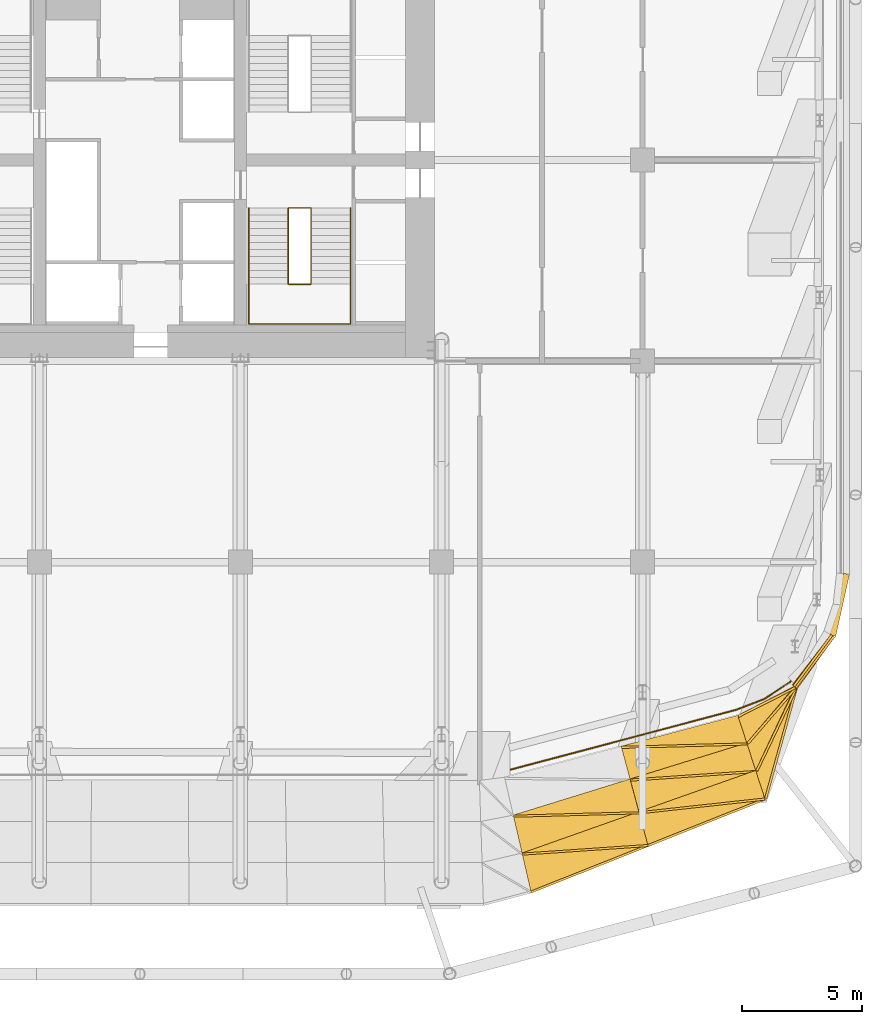
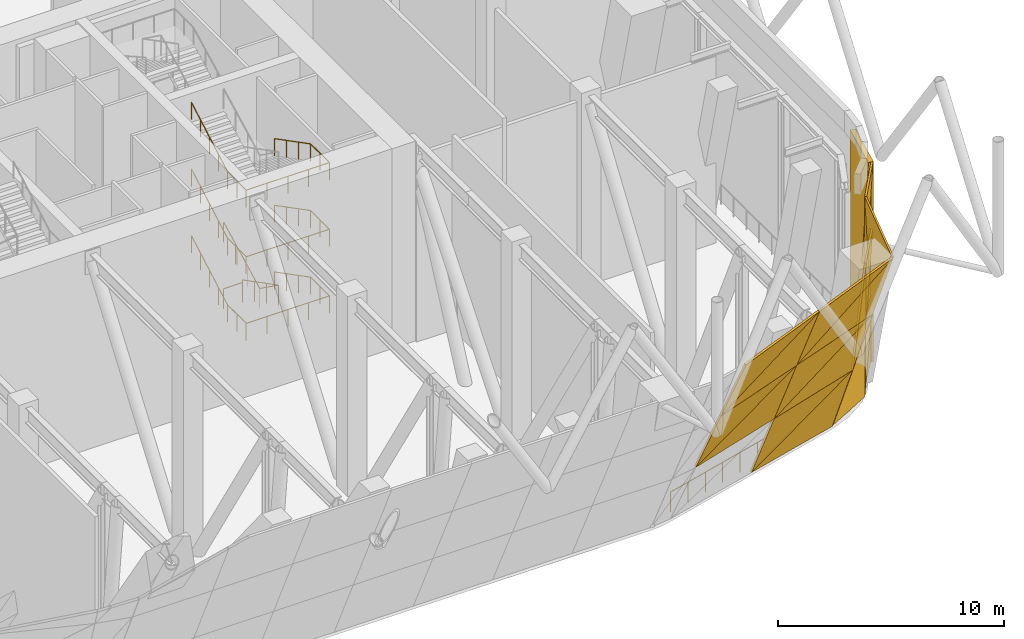
# One storey, part 16 of 19: 23 shading devices, 5 railings.
"""IFC4 building model written with IfcOpenShell, lengths in metres."""

from ifc_helpers import new_model, si_unit, direction, frame, frame_2d, origin, origin_2d, place, context, subcontext, project, spatial, polyline, rectangle, circle, outline, extrude, material, layer, layer_set, type_object, element, save


model = new_model("IFC4")

# Units and contexts
model_context = context("Model", 3, precision=1e-05, world=origin(), true_north=direction((0.0, 1.0)))
body_context = subcontext(model_context, "Body", "Model", "MODEL_VIEW")
ifc_project = project(units=[si_unit("LENGTHUNIT", "METRE"), si_unit("AREAUNIT", "SQUARE_METRE"), si_unit("VOLUMEUNIT", "CUBIC_METRE"), si_unit("PLANEANGLEUNIT", "RADIAN"), si_unit("MASSUNIT", "GRAM", prefix="KILO")], contexts=[model_context])

# Site, building, storey
site_placement = place(None, origin())
site = spatial("IfcSite", under=ifc_project, at=site_placement, CompositionType="ELEMENT")
building_placement = place(site_placement, origin())
building = spatial("IfcBuilding", under=site, at=building_placement, Name="Marenta Gate Hotel Tower", CompositionType="ELEMENT")
storey_placement = place(building_placement, frame((0.0, 0.0, 86.89990234375)))
storey = spatial("IfcBuildingStorey", under=building, at=storey_placement, Name="L20", CompositionType="ELEMENT", Elevation=86.89990234375)

# Railings
ifc_material_1 = material(Name="Stainless steel", Category="steel")
railing_type_1 = type_object("IfcRailingType", Name="Core stair handrail 950", PredefinedType="HANDRAIL", material=ifc_material_1)
railing_1_placement = place(storey_placement, frame((8.800048828125, 6.39990234375, 0.150146484375)))
element("IfcRailing", 1, at=railing_1_placement, inside=storey, type_object=railing_type_1, Name="HR-950 L20-KR-ST3-1", PredefinedType="HANDRAIL", context=body_context, shape_type="SweptSolid", body=[
    extrude(circle(Radius=0.02392578125, at=origin_2d()), frame((0.0, 0.0, 0.92578125), z_axis=(0.0, -0.888225295554, 0.459408123936), x_axis=(1.0, 0.0, 0.0)), (0.0, 0.0, 1.0), 3.59130859375),
    extrude(circle(Radius=0.02392578125, at=origin_2d()), frame((0.0, -3.18994140625, 2.57568359375), z_axis=(0.0, -1.0, 0.0), x_axis=(1.0, 0.0, 0.0)), (0.0, 0.0, 1.0), 1.659912109375),
    extrude(circle(Radius=0.02392578125, at=origin_2d()), frame((0.0, -4.849853515625, 2.57568359375), z_axis=(-1.0, 0.0, 0.0), x_axis=(0.0, -1.0, 0.0)), (0.0, 0.0, 1.0), 4.25),
    extrude(circle(Radius=0.02392578125, at=origin_2d()), frame((-4.25, -4.849853515625, 2.57568359375), z_axis=(0.0, 1.0, 0.0), x_axis=(-1.0, 0.0, 0.0)), (0.0, 0.0, 1.0), 1.659912109375),
    extrude(circle(Radius=0.02392578125, at=origin_2d()), frame((-4.25, -3.18994140625, 2.57568359375), z_axis=(0.0, 0.87090897868, 0.491444351738), x_axis=(-1.0, 0.0, 0.0)), (0.0, 0.0, 1.0), 3.662841796875),
    extrude(circle(Radius=0.02099609375, at=origin_2d()), origin(), (0.0, 0.0, 1.0), 0.90185546875),
    extrude(circle(Radius=0.02099609375, at=origin_2d()), frame((0.0, -1.063232421875, 0.550048828125)), (0.0, 0.0, 1.0), 0.90185546875),
    extrude(circle(Radius=0.02099609375, at=origin_2d()), frame((0.0, -2.126708984375, 1.099853515625)), (0.0, 0.0, 1.0), 0.90185546875),
    extrude(circle(Radius=0.02099609375, at=origin_2d()), frame((0.0, -3.18994140625, 1.64990234375)), (0.0, 0.0, 1.0), 0.90185546875),
    extrude(circle(Radius=0.02099609375, at=origin_2d()), frame((0.0, -4.02001953125, 1.64990234375)), (0.0, 0.0, 1.0), 0.90185546875),
    extrude(circle(Radius=0.02099609375, at=origin_2d()), frame((0.0, -4.849853515625, 1.64990234375)), (0.0, 0.0, 1.0), 0.90185546875),
    extrude(circle(Radius=0.02099609375, at=origin_2d()), frame((-1.0625, -4.849853515625, 1.64990234375)), (0.0, 0.0, 1.0), 0.90185546875),
    extrude(circle(Radius=0.02099609375, at=origin_2d()), frame((-2.125, -4.849853515625, 1.64990234375)), (0.0, 0.0, 1.0), 0.90185546875),
    extrude(circle(Radius=0.02099609375, at=origin_2d()), frame((-3.1875, -4.849853515625, 1.64990234375)), (0.0, 0.0, 1.0), 0.90185546875),
    extrude(circle(Radius=0.02099609375, at=origin_2d()), frame((-4.25, -4.849853515625, 1.64990234375)), (0.0, 0.0, 1.0), 0.90185546875),
    extrude(circle(Radius=0.02099609375, at=origin_2d()), frame((-4.25, -4.02001953125, 1.64990234375)), (0.0, 0.0, 1.0), 0.90185546875),
    extrude(circle(Radius=0.02099609375, at=origin_2d()), frame((-4.25, -3.18994140625, 1.64990234375)), (0.0, 0.0, 1.0), 0.90185546875),
    extrude(circle(Radius=0.02099609375, at=origin_2d()), frame((-4.25, -2.392578125, 2.099853515625)), (0.0, 0.0, 1.0), 0.90185546875),
    extrude(circle(Radius=0.02099609375, at=origin_2d()), frame((-4.25, -1.594970703125, 2.5498046875)), (0.0, 0.0, 1.0), 0.90185546875),
    extrude(circle(Radius=0.02099609375, at=origin_2d()), frame((-4.25, -0.79736328125, 3.0)), (0.0, 0.0, 1.0), 0.90185546875),
    extrude(circle(Radius=0.02099609375, at=origin_2d()), frame((-4.25, 0.0, 3.449951171875)), (0.0, 0.0, 1.0), 0.90185546875),
])
railing_2_placement = place(storey_placement, frame((8.800048828125, 6.39990234375, 3.75)))
element("IfcRailing", 2, at=railing_2_placement, inside=storey, type_object=railing_type_1, Name="HR-950 L20-KR-ST3-3", PredefinedType="HANDRAIL", context=body_context, shape_type="SweptSolid", body=[
    extrude(circle(Radius=0.02392578125, at=origin_2d()), frame((0.0, 0.0, 0.92578125), z_axis=(0.0, -0.888197555067, 0.459461753765), x_axis=(1.0, 0.0, 0.0)), (0.0, 0.0, 1.0), 3.591552734375),
    extrude(circle(Radius=0.02392578125, at=origin_2d()), frame((0.0, -3.18994140625, 2.576171875), z_axis=(0.0, -1.0, 0.0), x_axis=(1.0, 0.0, 0.0)), (0.0, 0.0, 1.0), 1.659912109375),
    extrude(circle(Radius=0.02392578125, at=origin_2d()), frame((0.0, -4.849853515625, 2.576171875), z_axis=(-1.0, 0.0, 0.0), x_axis=(0.0, -1.0, 0.0)), (0.0, 0.0, 1.0), 4.25),
    extrude(circle(Radius=0.02392578125, at=origin_2d()), frame((-4.25, -4.849853515625, 2.576171875), z_axis=(0.0, 1.0, 0.0), x_axis=(-1.0, 0.0, 0.0)), (0.0, 0.0, 1.0), 1.659912109375),
    extrude(circle(Radius=0.02392578125, at=origin_2d()), frame((-4.25, -3.18994140625, 2.576171875), z_axis=(0.0, 0.87090897868, 0.491444351738), x_axis=(-1.0, 0.0, 0.0)), (0.0, 0.0, 1.0), 3.662841796875),
    extrude(circle(Radius=0.02099609375, at=origin_2d()), origin(), (0.0, 0.0, 1.0), 0.90185546875),
    extrude(circle(Radius=0.02099609375, at=origin_2d()), frame((0.0, -1.063232421875, 0.550048828125)), (0.0, 0.0, 1.0), 0.90185546875),
    extrude(circle(Radius=0.02099609375, at=origin_2d()), frame((0.0, -2.126708984375, 1.10009765625)), (0.0, 0.0, 1.0), 0.90185546875),
    extrude(circle(Radius=0.02099609375, at=origin_2d()), frame((0.0, -3.18994140625, 1.650146484375)), (0.0, 0.0, 1.0), 0.90185546875),
    extrude(circle(Radius=0.02099609375, at=origin_2d()), frame((0.0, -4.02001953125, 1.650146484375)), (0.0, 0.0, 1.0), 0.90185546875),
    extrude(circle(Radius=0.02099609375, at=origin_2d()), frame((0.0, -4.849853515625, 1.650146484375)), (0.0, 0.0, 1.0), 0.90185546875),
    extrude(circle(Radius=0.02099609375, at=origin_2d()), frame((-1.0625, -4.849853515625, 1.650146484375)), (0.0, 0.0, 1.0), 0.90185546875),
    extrude(circle(Radius=0.02099609375, at=origin_2d()), frame((-2.125, -4.849853515625, 1.650146484375)), (0.0, 0.0, 1.0), 0.90185546875),
    extrude(circle(Radius=0.02099609375, at=origin_2d()), frame((-3.1875, -4.849853515625, 1.650146484375)), (0.0, 0.0, 1.0), 0.90185546875),
    extrude(circle(Radius=0.02099609375, at=origin_2d()), frame((-4.25, -4.849853515625, 1.650146484375)), (0.0, 0.0, 1.0), 0.90185546875),
    extrude(circle(Radius=0.02099609375, at=origin_2d()), frame((-4.25, -4.02001953125, 1.650146484375)), (0.0, 0.0, 1.0), 0.90185546875),
    extrude(circle(Radius=0.02099609375, at=origin_2d()), frame((-4.25, -3.18994140625, 1.650146484375)), (0.0, 0.0, 1.0), 0.90185546875),
    extrude(circle(Radius=0.02099609375, at=origin_2d()), frame((-4.25, -2.392578125, 2.10009765625)), (0.0, 0.0, 1.0), 0.90185546875),
    extrude(circle(Radius=0.02099609375, at=origin_2d()), frame((-4.25, -1.594970703125, 2.55029296875)), (0.0, 0.0, 1.0), 0.90185546875),
    extrude(circle(Radius=0.02099609375, at=origin_2d()), frame((-4.25, -0.79736328125, 3.000244140625)), (0.0, 0.0, 1.0), 0.90185546875),
    extrude(circle(Radius=0.02099609375, at=origin_2d()), frame((-4.25, 0.0, 3.4501953125)), (0.0, 0.0, 1.0), 0.90185546875),
])
railing_3_placement = place(storey_placement, frame((8.800048828125, 6.39990234375, 7.35009765625)))
element("IfcRailing", 3, at=railing_3_placement, inside=storey, type_object=railing_type_1, Name="HR-950 L20-KR-ST3-5", PredefinedType="HANDRAIL", context=body_context, shape_type="SweptSolid", body=[
    extrude(circle(Radius=0.02392578125, at=origin_2d()), frame((0.0, 0.0, 0.92578125), z_axis=(0.0, -0.888225295554, 0.459408123936), x_axis=(1.0, 0.0, 0.0)), (0.0, 0.0, 1.0), 3.59130859375),
    extrude(circle(Radius=0.02392578125, at=origin_2d()), frame((0.0, -3.18994140625, 2.57568359375), z_axis=(0.0, -1.0, 0.0), x_axis=(1.0, 0.0, 0.0)), (0.0, 0.0, 1.0), 1.659912109375),
    extrude(circle(Radius=0.02392578125, at=origin_2d()), frame((0.0, -4.849853515625, 2.57568359375), z_axis=(-1.0, 0.0, 0.0), x_axis=(0.0, -1.0, 0.0)), (0.0, 0.0, 1.0), 4.25),
    extrude(circle(Radius=0.02392578125, at=origin_2d()), frame((-4.25, -4.849853515625, 2.57568359375), z_axis=(0.0, 1.0, 0.0), x_axis=(-1.0, 0.0, 0.0)), (0.0, 0.0, 1.0), 1.659912109375),
    extrude(circle(Radius=0.02392578125, at=origin_2d()), frame((-4.25, -3.18994140625, 2.57568359375), z_axis=(0.0, 0.87090897868, 0.491444351738), x_axis=(-1.0, 0.0, 0.0)), (0.0, 0.0, 1.0), 3.662841796875),
    extrude(circle(Radius=0.02099609375, at=origin_2d()), origin(), (0.0, 0.0, 1.0), 0.90185546875),
    extrude(circle(Radius=0.02099609375, at=origin_2d()), frame((0.0, -1.063232421875, 0.550048828125)), (0.0, 0.0, 1.0), 0.90185546875),
    extrude(circle(Radius=0.02099609375, at=origin_2d()), frame((0.0, -2.126708984375, 1.099853515625)), (0.0, 0.0, 1.0), 0.90185546875),
    extrude(circle(Radius=0.02099609375, at=origin_2d()), frame((0.0, -3.18994140625, 1.64990234375)), (0.0, 0.0, 1.0), 0.90185546875),
    extrude(circle(Radius=0.02099609375, at=origin_2d()), frame((0.0, -4.02001953125, 1.64990234375)), (0.0, 0.0, 1.0), 0.90185546875),
    extrude(circle(Radius=0.02099609375, at=origin_2d()), frame((0.0, -4.849853515625, 1.64990234375)), (0.0, 0.0, 1.0), 0.90185546875),
    extrude(circle(Radius=0.02099609375, at=origin_2d()), frame((-1.0625, -4.849853515625, 1.64990234375)), (0.0, 0.0, 1.0), 0.90185546875),
    extrude(circle(Radius=0.02099609375, at=origin_2d()), frame((-2.125, -4.849853515625, 1.64990234375)), (0.0, 0.0, 1.0), 0.90185546875),
    extrude(circle(Radius=0.02099609375, at=origin_2d()), frame((-3.1875, -4.849853515625, 1.64990234375)), (0.0, 0.0, 1.0), 0.90185546875),
    extrude(circle(Radius=0.02099609375, at=origin_2d()), frame((-4.25, -4.849853515625, 1.64990234375)), (0.0, 0.0, 1.0), 0.90185546875),
    extrude(circle(Radius=0.02099609375, at=origin_2d()), frame((-4.25, -4.02001953125, 1.64990234375)), (0.0, 0.0, 1.0), 0.90185546875),
    extrude(circle(Radius=0.02099609375, at=origin_2d()), frame((-4.25, -3.18994140625, 1.64990234375)), (0.0, 0.0, 1.0), 0.90185546875),
    extrude(circle(Radius=0.02099609375, at=origin_2d()), frame((-4.25, -2.392578125, 2.099853515625)), (0.0, 0.0, 1.0), 0.90185546875),
    extrude(circle(Radius=0.02099609375, at=origin_2d()), frame((-4.25, -1.594970703125, 2.5498046875)), (0.0, 0.0, 1.0), 0.90185546875),
    extrude(circle(Radius=0.02099609375, at=origin_2d()), frame((-4.25, -0.79736328125, 3.0)), (0.0, 0.0, 1.0), 0.90185546875),
    extrude(circle(Radius=0.02099609375, at=origin_2d()), frame((-4.25, 0.0, 3.449951171875)), (0.0, 0.0, 1.0), 0.90185546875),
])
ifc_material_2 = material(Name="Stainless steel", Category="steel")
railing_type_2 = type_object("IfcRailingType", Name="Core stair well guard 1100", PredefinedType="GUARDRAIL", material=ifc_material_2)
railing_4_placement = place(storey_placement, frame((6.199951171875, 6.39990234375, 0.0)))
element("IfcRailing", 4, at=railing_4_placement, inside=storey, type_object=railing_type_2, Name="GR-1100 L20-KR-ST3-2", PredefinedType="GUARDRAIL", context=body_context, shape_type="SweptSolid", body=[
    extrude(circle(Radius=0.02392578125, at=origin_2d()), frame((0.0, 0.0, 1.076171875), z_axis=(1.0, 0.0, 0.0), x_axis=(0.0, 1.0, 0.0)), (0.0, 0.0, 1.0), 0.949951171875),
    extrude(circle(Radius=0.02392578125, at=origin_2d()), frame((0.949951171875, 0.0, 1.076171875), z_axis=(0.0, 0.0, 1.0), x_axis=(1.0, 0.0, 0.0)), (0.0, 0.0, 1.0), 0.150146484375),
    extrude(circle(Radius=0.02392578125, at=origin_2d()), frame((0.949951171875, 0.0, 1.22607421875), z_axis=(0.0, -0.888225295554, 0.459408123936), x_axis=(1.0, 0.0, 0.0)), (0.0, 0.0, 1.0), 3.59130859375),
    extrude(circle(Radius=0.02392578125, at=origin_2d()), frame((0.949951171875, -3.18994140625, 2.8759765625), z_axis=(-0.987738253826, 0.0, 0.156118999255), x_axis=(0.0, -1.0, 0.0)), (0.0, 0.0, 1.0), 0.961669921875),
    extrude(circle(Radius=0.02392578125, at=origin_2d()), frame((0.0, -3.18994140625, 3.0263671875), z_axis=(0.0, 0.888225295554, 0.459408123936), x_axis=(-1.0, 0.0, 0.0)), (0.0, 0.0, 1.0), 3.59130859375),
    extrude(circle(Radius=0.02099609375, at=origin_2d()), origin(), (0.0, 0.0, 1.0), 1.052001953125),
    extrude(circle(Radius=0.02099609375, at=origin_2d()), frame((0.949951171875, 0.0, 0.0)), (0.0, 0.0, 1.0), 1.052001953125),
    extrude(circle(Radius=0.02099609375, at=origin_2d()), frame((0.949951171875, 0.0, 0.150146484375)), (0.0, 0.0, 1.0), 1.052001953125),
    extrude(circle(Radius=0.02099609375, at=origin_2d()), frame((0.949951171875, -1.063232421875, 0.7001953125)), (0.0, 0.0, 1.0), 1.052001953125),
    extrude(circle(Radius=0.02099609375, at=origin_2d()), frame((0.949951171875, -2.126708984375, 1.25)), (0.0, 0.0, 1.0), 1.052001953125),
    extrude(circle(Radius=0.02099609375, at=origin_2d()), frame((0.949951171875, -3.18994140625, 1.800048828125)), (0.0, 0.0, 1.0), 1.052001953125),
    extrude(circle(Radius=0.02099609375, at=origin_2d()), frame((0.0, -3.18994140625, 1.9501953125)), (0.0, 0.0, 1.0), 1.052001953125),
    extrude(circle(Radius=0.02099609375, at=origin_2d()), frame((0.0, -2.126708984375, 2.500244140625)), (0.0, 0.0, 1.0), 1.052001953125),
    extrude(circle(Radius=0.02099609375, at=origin_2d()), frame((0.0, -1.063232421875, 3.050048828125)), (0.0, 0.0, 1.0), 1.052001953125),
    extrude(circle(Radius=0.02099609375, at=origin_2d()), frame((0.0, 0.0, 3.60009765625)), (0.0, 0.0, 1.0), 1.052001953125),
])
ifc_material_3 = material(Name="Stainless steel", Category="steel")
railing_type_3 = type_object("IfcRailingType", Name="Guard 1100 stainless balustrade", PredefinedType="GUARDRAIL", material=ifc_material_3)
railing_5_placement = place(storey_placement, frame((27.69140625, -12.85302734375, 0.0)))
element("IfcRailing", 5, at=railing_5_placement, inside=storey, type_object=railing_type_3, Name="Guard", PredefinedType="GUARDRAIL", context=body_context, shape_type="SweptSolid", body=[
    extrude(circle(Radius=0.02392578125, at=origin_2d()), frame((0.0, 0.0, 1.076171875), z_axis=(-0.69247763599, -0.721439341631, 0.0), x_axis=(0.721439341631, -0.69247763599, 0.0)), (0.0, 0.0, 1.0), 0.750244140625),
    extrude(circle(Radius=0.02392578125, at=origin_2d()), frame((-0.51953125, -0.541259765625, 1.076171875), z_axis=(-0.83257703296, -0.553909274329, 0.0), x_axis=(0.553909274329, -0.83257703296, 0.0)), (0.0, 0.0, 1.0), 1.28271484375),
    extrude(circle(Radius=0.02392578125, at=origin_2d()), frame((-1.58740234375, -1.251708984375, 1.076171875), z_axis=(-0.932788004405, -0.360425496931, 0.0), x_axis=(0.360425496931, -0.932788004405, 0.0)), (0.0, 0.0, 1.0), 1.2890625),
    extrude(circle(Radius=0.02392578125, at=origin_2d()), frame((-2.789794921875, -1.71630859375, 1.076171875), z_axis=(-0.96656485404, -0.256422274645, 0.0), x_axis=(0.256422274645, -0.96656485404, 0.0)), (0.0, 0.0, 1.0), 9.740966796875),
    extrude(circle(Radius=0.02099609375, at=origin_2d()), origin(), (0.0, 0.0, 1.0), 1.052001953125),
    extrude(circle(Radius=0.02099609375, at=origin_2d()), frame((-0.51953125, -0.541259765625, 0.0)), (0.0, 0.0, 1.0), 1.052001953125),
    extrude(circle(Radius=0.02099609375, at=origin_2d()), frame((-1.053466796875, -0.896484375, 0.0)), (0.0, 0.0, 1.0), 1.052001953125),
    extrude(circle(Radius=0.02099609375, at=origin_2d()), frame((-1.58740234375, -1.251708984375, 0.0)), (0.0, 0.0, 1.0), 1.052001953125),
    extrude(circle(Radius=0.02099609375, at=origin_2d()), frame((-2.1884765625, -1.48388671875, 0.0)), (0.0, 0.0, 1.0), 1.052001953125),
    extrude(circle(Radius=0.02099609375, at=origin_2d()), frame((-2.789794921875, -1.71630859375, 0.0)), (0.0, 0.0, 1.0), 1.052001953125),
    extrude(circle(Radius=0.02099609375, at=origin_2d()), frame((-3.8359375, -1.993896484375, 0.0)), (0.0, 0.0, 1.0), 1.052001953125),
    extrude(circle(Radius=0.02099609375, at=origin_2d()), frame((-4.882080078125, -2.271484375, 0.0)), (0.0, 0.0, 1.0), 1.052001953125),
    extrude(circle(Radius=0.02099609375, at=origin_2d()), frame((-5.92822265625, -2.548828125, 0.0)), (0.0, 0.0, 1.0), 1.052001953125),
    extrude(circle(Radius=0.02099609375, at=origin_2d()), frame((-6.974365234375, -2.826416015625, 0.0)), (0.0, 0.0, 1.0), 1.052001953125),
    extrude(circle(Radius=0.02099609375, at=origin_2d()), frame((-8.0205078125, -3.10400390625, 0.0)), (0.0, 0.0, 1.0), 1.052001953125),
    extrude(circle(Radius=0.02099609375, at=origin_2d()), frame((-9.066650390625, -3.381591796875, 0.0)), (0.0, 0.0, 1.0), 1.052001953125),
    extrude(circle(Radius=0.02099609375, at=origin_2d()), frame((-10.11279296875, -3.658935546875, 0.0)), (0.0, 0.0, 1.0), 1.052001953125),
    extrude(circle(Radius=0.02099609375, at=origin_2d()), frame((-11.158935546875, -3.9365234375, 0.0)), (0.0, 0.0, 1.0), 1.052001953125),
    extrude(circle(Radius=0.02099609375, at=origin_2d()), frame((-12.205078125, -4.214111328125, 0.0)), (0.0, 0.0, 1.0), 1.052001953125),
])

# Shading devices
ifc_material_4 = material(Name="Bronze anodised aluminium louvre", Category="aluminium")
ifc_layer_1 = layer(ifc_material_4, 0.10009765625)
ifc_layer_set_1 = layer_set([ifc_layer_1], Name="Bronze anodised aluminium louvre")
shading_device_type_1 = type_object("IfcShadingDeviceType", Name="Louvre blade 100 mm inclined", PredefinedType="JALOUSIE", material=ifc_layer_set_1)
shading_device_1_placement = place(storey_placement, frame((15.596923828125, -18.967041015625, 3.60009765625), z_axis=(-0.27517050857, 0.889029532135, 0.365933986129), x_axis=(0.955287498997, 0.295678531958, 0.0)))
element("IfcShadingDevice", 6, at=shading_device_1_placement, inside=storey, type_object=shading_device_type_1, Name="Louvre blade", PredefinedType="JALOUSIE", context=body_context, shape_type="SweptSolid", body=[
    extrude(outline(polyline([(0.0, 0.0), (5.1044535893611505, 0.0), (5.053235282716652, -3.868407248431732), (0.0, 0.0)])), origin(), (0.0, 0.0, -1.0), 0.10009765625),
])
shading_device_2_placement = place(storey_placement, frame((15.596923828125, -18.967041015625, 3.60009765625), z_axis=(-0.304193680341, 0.860167983637, 0.409361997219), x_axis=(0.824308167934, 0.022288967542, 0.565702436094)))
element("IfcShadingDevice", 7, at=shading_device_2_placement, inside=storey, type_object=shading_device_type_1, Name="Louvre blade", PredefinedType="JALOUSIE", context=body_context, shape_type="SweptSolid", body=[
    extrude(outline(polyline([(0.0, 0.0), (6.3639422893526945, 8.881784197001252e-16), (2.3027468107422275, -3.2094890281307933), (0.0, 0.0)])), origin(), (0.0, 0.0, -1.0), 0.10009765625),
])
shading_device_3_placement = place(storey_placement, frame((15.962646484375, -20.551025390625, 7.2001953125), z_axis=(-0.310381109843, 0.87766416815, 0.365197446046), x_axis=(0.942782042557, 0.33340968827, 0.0)))
element("IfcShadingDevice", 8, at=shading_device_3_placement, inside=storey, type_object=shading_device_type_1, Name="Louvre blade", PredefinedType="JALOUSIE", context=body_context, shape_type="SweptSolid", body=[
    extrude(outline(polyline([(0.0, 0.0), (5.176304525158662, 0.0), (5.068950462199093, -3.866942930483403), (0.0, 0.0)])), origin(), (0.0, 0.0, -1.0), 0.10009765625),
])
shading_device_4_placement = place(storey_placement, frame((15.962646484375, -20.551025390625, 7.2001953125), z_axis=(-0.337487668582, 0.84849073897, 0.407634075413), x_axis=(0.823421405819, 0.056252897045, 0.564635103418)))
element("IfcShadingDevice", 9, at=shading_device_4_placement, inside=storey, type_object=shading_device_type_1, Name="Louvre blade", PredefinedType="JALOUSIE", context=body_context, shape_type="SweptSolid", body=[
    extrude(outline(polyline([(0.0, 0.0), (6.375539696044875, 0.0), (2.2446438158687076, -3.2501198493869023), (0.0, 0.0)])), origin(), (0.0, 0.0, -1.0), 0.10009765625),
])
shading_device_5_placement = place(storey_placement, frame((20.103515625, -16.09033203125, 0.0), z_axis=(-0.24313202907, 0.916325358284, 0.318173937031), x_axis=(0.966554942583, 0.25645963224, 0.0)))
element("IfcShadingDevice", 10, at=shading_device_5_placement, inside=storey, type_object=shading_device_type_1, Name="Louvre blade", PredefinedType="JALOUSIE", context=body_context, shape_type="SweptSolid", body=[
    extrude(outline(polyline([(0.0, 0.0), (5.040655319065925, 1.1102230246251565e-16), (5.106779564846256, -3.7974417623289884), (0.0, 0.0)])), origin(), (0.0, 0.0, -1.0), 0.10009765625),
])
shading_device_6_placement = place(storey_placement, frame((20.103515625, -16.09033203125, 0.0), z_axis=(-0.27517050857, 0.889029532135, 0.365933986129), x_axis=(0.824308167934, 0.022288967542, 0.565702436094)))
element("IfcShadingDevice", 11, at=shading_device_6_placement, inside=storey, type_object=shading_device_type_1, Name="Louvre blade", PredefinedType="JALOUSIE", context=body_context, shape_type="SweptSolid", body=[
    extrude(outline(polyline([(0.0, 0.0), (6.3639422893526945, 0.0), (2.3107935013907834, -3.1028102340595725), (0.0, 0.0)])), origin(), (0.0, 0.0, -1.0), 0.10009765625),
])
shading_device_7_placement = place(storey_placement, frame((20.47314453125, -17.457763671875, 3.60009765625), z_axis=(-0.280274759491, 0.905520506521, 0.31855717142), x_axis=(0.955287498997, 0.295678531958, 0.0)))
element("IfcShadingDevice", 12, at=shading_device_7_placement, inside=storey, type_object=shading_device_type_1, Name="Louvre blade", PredefinedType="JALOUSIE", context=body_context, shape_type="SweptSolid", body=[
    extrude(outline(polyline([(0.0, 0.0), (5.1044535893611505, -5.551115123125783e-17), (5.120996869101097, -3.797957375252926), (0.0, 0.0)])), origin(), (0.0, 0.0, -1.0), 0.10009765625),
])
shading_device_8_placement = place(storey_placement, frame((20.47314453125, -17.457763671875, 3.60009765625), z_axis=(-0.310377170472, 0.877653028798, 0.365227563434), x_axis=(0.823405375004, 0.056213509301, 0.564662403377)))
element("IfcShadingDevice", 13, at=shading_device_8_placement, inside=storey, type_object=shading_device_type_1, Name="Louvre blade", PredefinedType="JALOUSIE", context=body_context, shape_type="SweptSolid", body=[
    extrude(outline(polyline([(0.0, 0.0), (6.375663820935145, 4.440892098500626e-16), (2.260326091882188, -3.139764945503292), (0.0, 0.0)])), origin(), (0.0, 0.0, -1.0), 0.10009765625),
])
shading_device_9_placement = place(storey_placement, frame((20.8427734375, -18.8251953125, 7.2001953125), z_axis=(-0.316043836489, 0.893676651234, 0.318525252464), x_axis=(0.942782042557, 0.33340968827, 0.0)))
element("IfcShadingDevice", 14, at=shading_device_9_placement, inside=storey, type_object=shading_device_type_1, Name="Louvre blade", PredefinedType="JALOUSIE", context=body_context, shape_type="SweptSolid", body=[
    extrude(outline(polyline([(0.0, 0.0), (5.176304525158662, 0.0), (5.144982756762301, -3.7976568434240816), (0.0, 0.0)])), origin(), (0.0, 0.0, -1.0), 0.10009765625),
])
shading_device_10_placement = place(storey_placement, frame((20.8427734375, -18.8251953125, 7.2001953125), z_axis=(-0.344139444923, 0.865475013844, 0.364034397907), x_axis=(0.821594632711, 0.089909635689, 0.562937400526)))
element("IfcShadingDevice", 15, at=shading_device_10_placement, inside=storey, type_object=shading_device_type_1, Name="Louvre blade", PredefinedType="JALOUSIE", context=body_context, shape_type="SweptSolid", body=[
    extrude(outline(polyline([(0.0, 0.0), (6.3947670065286335, -4.440892098500626e-16), (2.207253975786297, -3.176917123380005), (0.0, 0.0)])), origin(), (0.0, 0.0, -1.0), 0.10009765625),
])
shading_device_11_placement = place(storey_placement, frame((24.9755859375, -14.797607421875, 0.0), z_axis=(-0.460211389366, 0.887781057266, 0.007090236848), x_axis=(0.887803373131, 0.460222957551, 0.0)))
element("IfcShadingDevice", 16, at=shading_device_11_placement, inside=storey, type_object=shading_device_type_1, Name="Louvre blade", PredefinedType="JALOUSIE", context=body_context, shape_type="SweptSolid", body=[
    extrude(outline(polyline([(0.0, 0.0), (2.6476424945418824, 0.0), (2.653384718718372, -3.600188150742055), (0.0, 0.0)])), origin(), (0.0, 0.0, -1.0), 0.10009765625),
])
shading_device_12_placement = place(storey_placement, frame((24.9755859375, -14.797607421875, 0.0), z_axis=(-0.733075938414, 0.622082314568, 0.274978658117), x_axis=(0.529349919211, 0.267977596515, 0.804969981302)))
element("IfcShadingDevice", 17, at=shading_device_12_placement, inside=storey, type_object=shading_device_type_1, Name="Louvre blade", PredefinedType="JALOUSIE", context=body_context, shape_type="SweptSolid", body=[
    extrude(outline(polyline([(0.0, 0.0), (4.472337776406391, -4.440892098500626e-16), (2.787420820463611, -2.5797716030312223), (0.0, 0.0)])), origin(), (0.0, 0.0, -1.0), 0.10009765625),
])
shading_device_13_placement = place(storey_placement, frame((25.349365234375, -15.948486328125, 3.60009765625), z_axis=(-0.762448760552, 0.647007853961, 0.007261159984), x_axis=(0.647024911201, 0.762468861191, 0.0)))
element("IfcShadingDevice", 18, at=shading_device_13_placement, inside=storey, type_object=shading_device_type_1, Name="Louvre blade", PredefinedType="JALOUSIE", context=body_context, shape_type="SweptSolid", body=[
    extrude(outline(polyline([(0.0, 0.0), (3.0812605654552763, 0.0), (3.0768677012719774, -3.600192566577275), (0.0, 0.0)])), origin(), (0.0, 0.0, -1.0), 0.10009765625),
])
shading_device_14_placement = place(storey_placement, frame((25.349365234375, -15.948486328125, 3.60009765625), z_axis=(-0.881842603805, 0.414875578863, 0.224124688904), x_axis=(0.424576802556, 0.491799744583, 0.760175999331)))
element("IfcShadingDevice", 19, at=shading_device_14_placement, inside=storey, type_object=shading_device_type_1, Name="Louvre blade", PredefinedType="JALOUSIE", context=body_context, shape_type="SweptSolid", body=[
    extrude(outline(polyline([(0.0, 0.0), (4.735873875808874, 0.0), (2.329300243673348, -2.9998523762288585), (0.0, 0.0)])), origin(), (0.0, 0.0, -1.0), 0.10009765625),
])
shading_device_15_placement = place(storey_placement, frame((25.722900390625, -17.099365234375, 7.2001953125), z_axis=(-0.90484196688, 0.425695961126, 0.006630509358), x_axis=(0.42570531901, 0.904861857615, 0.0)))
element("IfcShadingDevice", 20, at=shading_device_15_placement, inside=storey, type_object=shading_device_type_1, Name="Louvre blade", PredefinedType="JALOUSIE", context=body_context, shape_type="SweptSolid", body=[
    extrude(outline(polyline([(0.0, 0.0), (3.8458693329409814, 0.0), (3.83470481458884, -3.5999326495921107), (0.0, 0.0)])), origin(), (0.0, 0.0, -1.0), 0.10009765625),
])
shading_device_16_placement = place(storey_placement, frame((25.722900390625, -17.099365234375, 7.2001953125), z_axis=(-0.947365697082, 0.263065168944, 0.182469046364), x_axis=(0.314476448759, 0.657777971272, 0.684421437189)))
element("IfcShadingDevice", 21, at=shading_device_16_placement, inside=storey, type_object=shading_device_type_1, Name="Louvre blade", PredefinedType="JALOUSIE", context=body_context, shape_type="SweptSolid", body=[
    extrude(outline(polyline([(0.0, 0.0), (5.2597030426279865, 0.0), (1.8243389106032002, -3.330910700220042), (0.0, 0.0)])), origin(), (0.0, 0.0, -1.0), 0.10009765625),
])
shading_device_17_placement = place(storey_placement, frame((27.326171875, -13.5791015625, 0.0), z_axis=(0.792634246346, -0.609697426204, 0.0), x_axis=(0.609697426204, 0.792634246346, 0.0)))
element("IfcShadingDevice", 22, at=shading_device_17_placement, inside=storey, type_object=shading_device_type_1, Name="Louvre blade", PredefinedType="JALOUSIE", context=body_context, shape_type="SweptSolid", body=[
    extrude(outline(polyline([(0.0, 0.0), (2.6544448665318994, 0.0), (2.6544448665318994, 3.60009765625), (0.0, 0.0)])), origin(), (0.0, 0.0, -1.0), 0.10009765625),
])
shading_device_18_placement = place(storey_placement, frame((27.326171875, -13.5791015625, 0.0), z_axis=(-0.79843547927, 0.602038706208, 0.007083902209), x_axis=(0.3618257453, 0.470389843565, 0.804869880856)))
element("IfcShadingDevice", 23, at=shading_device_18_placement, inside=storey, type_object=shading_device_type_1, Name="Louvre blade", PredefinedType="JALOUSIE", context=body_context, shape_type="SweptSolid", body=[
    extrude(outline(polyline([(0.0, 0.0), (4.472893994271974, 0.0), (2.8942883965703006, -2.1411404370943328), (0.0, 0.0)])), origin(), (0.0, 0.0, -1.0), 0.10009765625),
])
shading_device_19_placement = place(storey_placement, frame((27.343017578125, -13.59912109375, 3.60009765625), z_axis=(0.798455513437, -0.602053812431, 0.0), x_axis=(0.602053812431, 0.798455513437, 0.0)))
element("IfcShadingDevice", 24, at=shading_device_19_placement, inside=storey, type_object=shading_device_type_1, Name="Louvre blade", PredefinedType="JALOUSIE", context=body_context, shape_type="SweptSolid", body=[
    extrude(outline(polyline([(0.0, 0.0), (2.66016503331195, 0.0), (2.66016503331195, 3.600097656250001), (0.0, 0.0)])), origin(), (0.0, 0.0, -1.0), 0.10009765625),
])
shading_device_20_placement = place(storey_placement, frame((27.343017578125, -13.59912109375, 3.60009765625), z_axis=(-0.804233527896, 0.594270248895, 0.007162673105), x_axis=(0.357787842459, 0.474505217895, 0.804259073918)))
element("IfcShadingDevice", 25, at=shading_device_20_placement, inside=storey, type_object=shading_device_type_1, Name="Louvre blade", PredefinedType="JALOUSIE", context=body_context, shape_type="SweptSolid", body=[
    extrude(outline(polyline([(0.0, 0.0), (4.4762910024921645, 4.440892098500626e-16), (2.8919105273133887, -2.144355221437903), (0.0, 0.0)])), origin(), (0.0, 0.0, -1.0), 0.10009765625),
])
shading_device_21_placement = place(storey_placement, frame((27.360107421875, -13.619384765625, 7.2001953125), z_axis=(0.804254158843, -0.594285493668, 0.0), x_axis=(0.594285493668, 0.804254158843, 0.0)))
element("IfcShadingDevice", 26, at=shading_device_21_placement, inside=storey, type_object=shading_device_type_1, Name="Louvre blade", PredefinedType="JALOUSIE", context=body_context, shape_type="SweptSolid", body=[
    extrude(outline(polyline([(0.0, 0.0), (2.6661809401906176, 0.0), (2.6661809401906176, 3.599853515625), (0.0, 0.0)])), origin(), (0.0, 0.0, -1.0), 0.10009765625),
])
shading_device_22_placement = place(storey_placement, frame((27.360107421875, -13.619384765625, 7.2001953125), z_axis=(-0.809887338075, 0.586542589418, 0.007091574178), x_axis=(0.353702785008, 0.478670502423, 0.803597467634)))
element("IfcShadingDevice", 27, at=shading_device_22_placement, inside=storey, type_object=shading_device_type_1, Name="Louvre blade", PredefinedType="JALOUSIE", context=body_context, shape_type="SweptSolid", body=[
    extrude(outline(polyline([(0.0, 0.0), (4.479672548277764, -4.440892098500626e-16), (2.889091919122542, -2.1477401171766886), (0.0, 0.0)])), origin(), (0.0, 0.0, -1.0), 0.10009765625),
])
ifc_material_5 = material(Name="Bronze anodised aluminium louvre", Category="aluminium")
ifc_layer_2 = layer(ifc_material_5, 0.25)
ifc_layer_set_2 = layer_set([ifc_layer_2], Name="Bronze anodised aluminium louvre")
shading_device_type_2 = type_object("IfcShadingDeviceType", Name="Louvred plant screen 250 mm", PredefinedType="JALOUSIE", material=ifc_layer_set_2)
shading_device_23_placement = place(storey_placement, frame((28.944580078125, -11.47509765625, 0.0), z_axis=(0.0, 0.0, 1.0), x_axis=(0.217262425211, 0.976113230415, 0.0)))
element("IfcShadingDevice", 28, at=shading_device_23_placement, inside=storey, type_object=shading_device_type_2, Name="Louvred plant screen", PredefinedType="JALOUSIE", context=body_context, shape_type="SweptSolid", body=[
    extrude(rectangle(XDim=2.6474609375, YDim=0.25, at=frame_2d((1.32373046875, 0.0))), origin(), (0.0, 0.0, 1.0), 10.800048828125),
])

save(model, "model.ifc")
